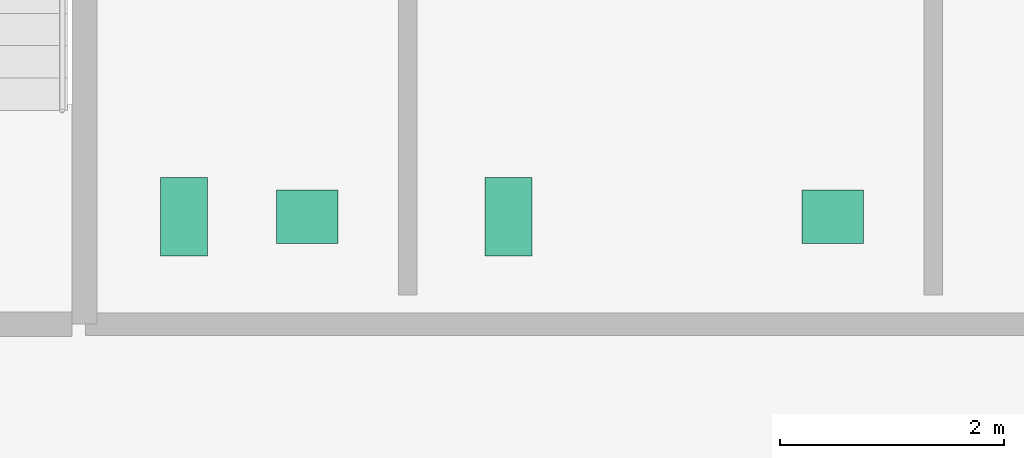
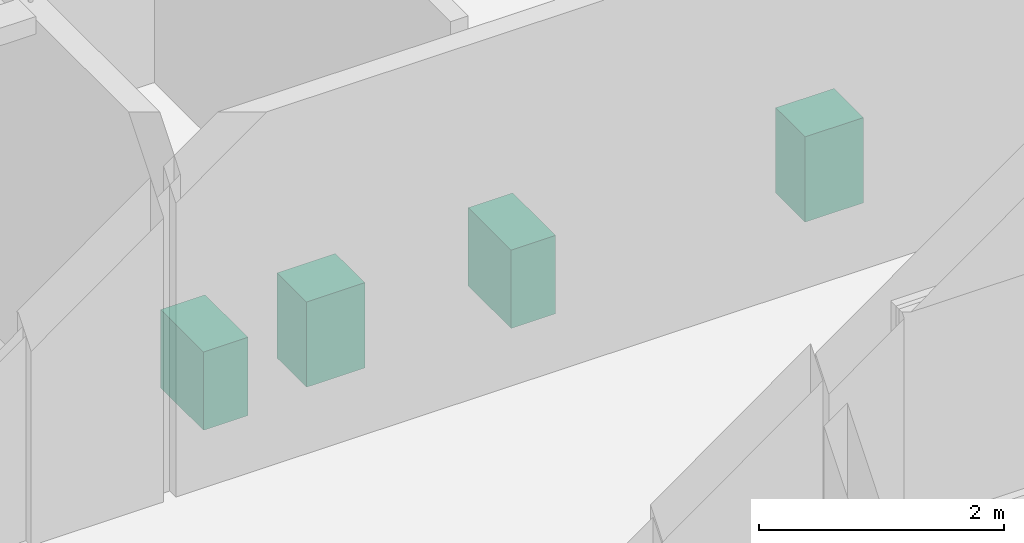
# One storey, part 12 of 12: 4 sanitary terminals.
"""IFC4 building model written with IfcOpenShell, lengths in metres."""

from ifc_helpers import new_model, si_unit, direction, frame, origin, origin_2d, place, context, subcontext, project, spatial, rectangle, extrude, material, type_object, element, save


model = new_model("IFC4")

# Units and contexts
model_context = context("Model", 3, precision=1e-05, world=origin(), true_north=direction((0.0, 1.0)))
body_context = subcontext(model_context, "Body", "Model", "MODEL_VIEW")
ifc_project = project(units=[si_unit("LENGTHUNIT", "METRE"), si_unit("AREAUNIT", "SQUARE_METRE"), si_unit("VOLUMEUNIT", "CUBIC_METRE"), si_unit("PLANEANGLEUNIT", "RADIAN"), si_unit("MASSUNIT", "GRAM", prefix="KILO")], contexts=[model_context])

# Site, building, storey
site_placement = place(None, origin())
site = spatial("IfcSite", under=ifc_project, at=site_placement, CompositionType="ELEMENT")
building_placement = place(site_placement, origin())
building = spatial("IfcBuilding", under=site, at=building_placement, Name="Norrvale University Quadrangle", CompositionType="ELEMENT")
storey_placement = place(building_placement, frame((0.0, 0.0, 135.60009765625)))
storey = spatial("IfcBuildingStorey", under=building, at=storey_placement, Name="L34", CompositionType="ELEMENT", Elevation=135.60009765625)

# Sanitary terminals
ifc_material = material(Name="Vitreous China Sanitaryware")
sanitary_terminal_type_1 = type_object("IfcSanitaryTerminalType", Name="Sanitary Wash Basin", PredefinedType="WASHHANDBASIN", material=ifc_material)
for number, where, z_axis, x_axis, name in (
    (1, (8.300048828125, 41.10009765625, -0.000244140625), (0.0, 0.0, 1.0), (1.0, 0.0, 0.0), "Accessible Countertop Washbasin L34-1"),
    (2, (13.0, 41.10009765625, -0.000244140625), (0.0, 0.0, 1.0), (1.0, 0.0, 0.0), "Accessible Countertop Washbasin L34-2"),
):
    element("IfcSanitaryTerminal", number, at=place(storey_placement, frame(where, z_axis=z_axis, x_axis=x_axis)), inside=storey, type_object=sanitary_terminal_type_1, Name=name, PredefinedType="WASHHANDBASIN", context=body_context, shape_type="SweptSolid", body=[
        extrude(rectangle(XDim=0.550048828125, YDim=0.47998046875, at=origin_2d()), origin(), (0.0, 0.0, 1.0), 0.85009765625),
    ])
sanitary_terminal_type_2 = type_object("IfcSanitaryTerminalType", Name="Sanitary Water Closet", PredefinedType="TOILETPAN", material=ifc_material)
for number, where, z_axis, x_axis, name in (
    (3, (7.199951171875, 41.10009765625, 0.0), (0.0, 0.0, 1.0), (1.0, 0.0, 0.0), "Wall-Hung Water Closet L34-1"),
    (4, (10.10009765625, 41.10009765625, 0.0), (0.0, 0.0, 1.0), (1.0, 0.0, 0.0), "Wall-Hung Water Closet L34-2"),
):
    element("IfcSanitaryTerminal", number, at=place(storey_placement, frame(where, z_axis=z_axis, x_axis=x_axis)), inside=storey, type_object=sanitary_terminal_type_2, Name=name, PredefinedType="TOILETPAN", context=body_context, shape_type="SweptSolid", body=[
        extrude(rectangle(XDim=0.419921875, YDim=0.699951171875, at=origin_2d()), origin(), (0.0, 0.0, 1.0), 0.780029296875),
    ])

save(model, "model.ifc")
